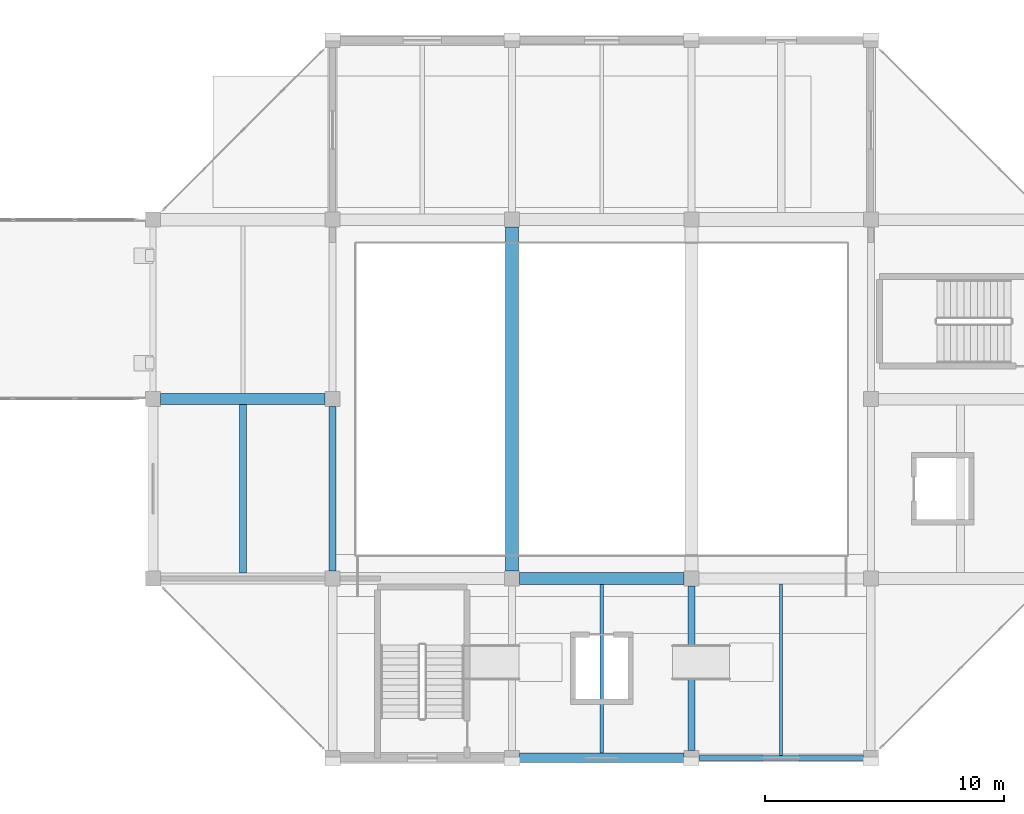
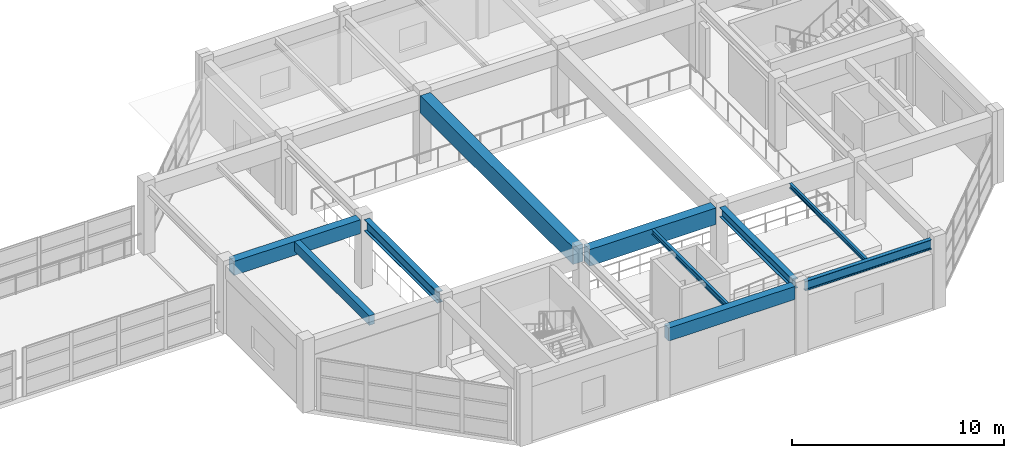
# One storey, part 65 of 132: 10 beams.
"""IFC4 building model written with IfcOpenShell, lengths in metres."""

from ifc_helpers import new_model, si_unit, direction, frame, origin, origin_2d, place, context, subcontext, project, spatial, rectangle, i_section, extrude, material, material_profile, profile_set, type_object, element, save


model = new_model("IFC4")

# Units and contexts
model_context = context("Model", 3, precision=1e-05, world=origin(), true_north=direction((0.0, 1.0)))
body_context = subcontext(model_context, "Body", "Model", "MODEL_VIEW")
ifc_project = project(units=[si_unit("LENGTHUNIT", "METRE"), si_unit("AREAUNIT", "SQUARE_METRE"), si_unit("VOLUMEUNIT", "CUBIC_METRE"), si_unit("PLANEANGLEUNIT", "RADIAN"), si_unit("MASSUNIT", "GRAM", prefix="KILO")], contexts=[model_context])

# Site, building, storey
site_placement = place(None, origin())
site = spatial("IfcSite", under=ifc_project, at=site_placement, CompositionType="ELEMENT")
building_placement = place(site_placement, origin())
building = spatial("IfcBuilding", under=site, at=building_placement, Name="Qasida Concert Hall", CompositionType="ELEMENT")
storey_placement = place(building_placement, frame((0.0, 0.0, 4.800048828125)))
storey = spatial("IfcBuildingStorey", under=building, at=storey_placement, Name="L01", CompositionType="ELEMENT", Elevation=4.800048828125)

# Beams
ifc_material_1 = material(Name="Steel S355J2", Category="steel")
ifc_material_profile_1 = material_profile(ifc_material_1, i_section(OverallWidth=0.300048828125, OverallDepth=0.550048828125, WebThickness=0.014892578125, FlangeThickness=0.029052734375, FilletRadius=0.027099609375, at=origin_2d()), Name="HEB 550")
ifc_profile_set_1 = profile_set([ifc_material_profile_1], Name="Steel S355J2")
beam_type_1 = type_object("IfcBeamType", Name="BM-B12", PredefinedType="BEAM", material=ifc_profile_set_1)
beam_1_placement = place(storey_placement, frame((150.0, 0.31005859375, 3.64501953125), z_axis=(0.0, 1.0, 0.0), x_axis=(-1.0, 0.0, 0.0)))
element("IfcBeam", 1, at=beam_1_placement, inside=storey, type_object=beam_type_1, Name="L01 girder 0879", PredefinedType="BEAM", context=body_context, shape_type="SweptSolid", body=[
    extrude(i_section(OverallWidth=0.300048828125, OverallDepth=0.550048828125, WebThickness=0.014892578125, FlangeThickness=0.029052734375, FilletRadius=0.027099609375, at=origin_2d()), origin(), (0.0, 0.0, 1.0), 6.8798828125),
])
ifc_material_profile_2 = material_profile(ifc_material_1, i_section(OverallWidth=0.300048828125, OverallDepth=0.64990234375, WebThickness=0.01611328125, FlangeThickness=0.031005859375, FilletRadius=0.027099609375, at=origin_2d()), Name="HEB 650")
ifc_profile_set_2 = profile_set([ifc_material_profile_2], Name="Steel S355J2")
beam_type_2 = type_object("IfcBeamType", Name="BM-B13", PredefinedType="BEAM", material=ifc_profile_set_2)
beam_2_placement = place(storey_placement, frame((135.0, 7.81005859375, 3.594970703125), z_axis=(0.0, 1.0, 0.0), x_axis=(-1.0, 0.0, 0.0)))
element("IfcBeam", 2, at=beam_2_placement, inside=storey, type_object=beam_type_2, Name="L01 girder 0873", PredefinedType="BEAM", context=body_context, shape_type="SweptSolid", body=[
    extrude(i_section(OverallWidth=0.300048828125, OverallDepth=0.64990234375, WebThickness=0.01611328125, FlangeThickness=0.031005859375, FilletRadius=0.027099609375, at=origin_2d()), origin(), (0.0, 0.0, 1.0), 6.8798828125),
])
ifc_material_2 = material(Name="Concrete C40/50", Category="concrete")
ifc_material_profile_3 = material_profile(ifc_material_2, rectangle(XDim=0.449951171875, YDim=0.800048828125, at=origin_2d()), Name="RC 450x800")
ifc_profile_set_3 = profile_set([ifc_material_profile_3], Name="Concrete C40/50")
beam_type_3 = type_object("IfcBeamType", Name="BM-G2", PredefinedType="USERDEFINED", material=ifc_profile_set_3)
beam_3_placement = place(storey_placement, frame((127.81005859375, 15.0, 3.52001953125), z_axis=(1.0, 0.0, 0.0), x_axis=(0.0, 1.0, 0.0)))
element("IfcBeam", 3, at=beam_3_placement, inside=storey, type_object=beam_type_3, Name="Primary girder 0860", ObjectType="GIRDER", PredefinedType="USERDEFINED", context=body_context, shape_type="SweptSolid", body=[
    extrude(rectangle(XDim=0.449951171875, YDim=0.800048828125, at=origin_2d()), origin(), (0.0, 0.0, 1.0), 6.8798828125),
])
ifc_material_profile_4 = material_profile(ifc_material_2, rectangle(XDim=0.550048828125, YDim=1.0, at=origin_2d()), Name="RC 550x1000")
ifc_profile_set_4 = profile_set([ifc_material_profile_4], Name="Concrete C40/50")
beam_type_4 = type_object("IfcBeamType", Name="BM-G3", PredefinedType="USERDEFINED", material=ifc_profile_set_4)
beam_4_placement = place(storey_placement, frame((142.5, 7.81005859375, 3.419921875), z_axis=(0.0, 1.0, 0.0), x_axis=(-1.0, 0.0, 0.0)))
element("IfcBeam", 4, at=beam_4_placement, inside=storey, type_object=beam_type_4, Name="L01 girder 0877", ObjectType="GIRDER", PredefinedType="USERDEFINED", context=body_context, shape_type="SweptSolid", body=[
    extrude(rectangle(XDim=0.550048828125, YDim=1.0, at=origin_2d()), origin(), (0.0, 0.0, 1.0), 14.3798828125),
])
ifc_material_profile_5 = material_profile(ifc_material_2, rectangle(XDim=0.52001953125, YDim=0.949951171875, at=origin_2d()), Name="RC 520x950")
ifc_profile_set_5 = profile_set([ifc_material_profile_5], Name="Concrete C40/50")
beam_type_5 = type_object("IfcBeamType", Name="BM-G7", PredefinedType="USERDEFINED", material=ifc_profile_set_5)
beam_5_placement = place(storey_placement, frame((142.81005859375, 7.5, 3.445068359375), z_axis=(1.0, 0.0, 0.0), x_axis=(0.0, 1.0, 0.0)))
element("IfcBeam", 5, at=beam_5_placement, inside=storey, type_object=beam_type_5, Name="Primary girder 0857", ObjectType="GIRDER", PredefinedType="USERDEFINED", context=body_context, shape_type="SweptSolid", body=[
    extrude(rectangle(XDim=0.52001953125, YDim=0.949951171875, at=origin_2d()), origin(), (0.0, 0.0, 1.0), 6.8798828125),
])
ifc_material_profile_6 = material_profile(ifc_material_2, rectangle(XDim=0.300048828125, YDim=0.550048828125, at=origin_2d()), Name="RC 300x550")
ifc_profile_set_6 = profile_set([ifc_material_profile_6], Name="Concrete C40/50")
beam_type_6 = type_object("IfcBeamType", Name="BM-J1", PredefinedType="JOIST", material=ifc_profile_set_6)
beam_6_placement = place(storey_placement, frame((131.25, 7.72509765625, 3.64501953125), z_axis=(0.0, 1.0, 0.0), x_axis=(-1.0, 0.0, 0.0)))
element("IfcBeam", 6, at=beam_6_placement, inside=storey, type_object=beam_type_6, Name="L01 secondary joist 0888", PredefinedType="JOIST", context=body_context, shape_type="SweptSolid", body=[
    extrude(rectangle(XDim=0.300048828125, YDim=0.550048828125, at=origin_2d()), origin(), (0.0, 0.0, 1.0), 7.0498046875),
])
ifc_material_profile_7 = material_profile(ifc_material_1, i_section(OverallWidth=0.14990234375, OverallDepth=0.300048828125, WebThickness=0.007080078125, FlangeThickness=0.0107421875, FilletRadius=0.014892578125, at=origin_2d()), Name="IPE 300")
ifc_profile_set_7 = profile_set([ifc_material_profile_7], Name="Steel S355J2")
beam_type_7 = type_object("IfcBeamType", Name="BM-J4", PredefinedType="JOIST", material=ifc_profile_set_7)
beam_7_placement = place(storey_placement, frame((146.25, 0.199951171875, 3.77001953125), z_axis=(0.0, 1.0, 0.0), x_axis=(-1.0, 0.0, 0.0)))
element("IfcBeam", 7, at=beam_7_placement, inside=storey, type_object=beam_type_7, Name="L01 secondary joist 0891", PredefinedType="JOIST", context=body_context, shape_type="SweptSolid", body=[
    extrude(i_section(OverallWidth=0.14990234375, OverallDepth=0.300048828125, WebThickness=0.007080078125, FlangeThickness=0.0107421875, FilletRadius=0.014892578125, at=origin_2d()), origin(), (0.0, 0.0, 1.0), 7.0400390625),
])
ifc_material_profile_8 = material_profile(ifc_material_1, i_section(OverallWidth=0.135009765625, OverallDepth=0.27001953125, WebThickness=0.006591796875, FlangeThickness=0.01025390625, FilletRadius=0.014892578125, at=origin_2d()), Name="IPE 270")
ifc_profile_set_8 = profile_set([ifc_material_profile_8], Name="Steel S355J2")
beam_type_8 = type_object("IfcBeamType", Name="BM-J6", PredefinedType="JOIST", material=ifc_profile_set_8)
beam_8_placement = place(storey_placement, frame((153.75, 0.10498046875, 3.784912109375), z_axis=(0.0, 1.0, 0.0), x_axis=(-1.0, 0.0, 0.0)))
element("IfcBeam", 8, at=beam_8_placement, inside=storey, type_object=beam_type_8, Name="L01 secondary joist 0893", PredefinedType="JOIST", context=body_context, shape_type="SweptSolid", body=[
    extrude(i_section(OverallWidth=0.135009765625, OverallDepth=0.27001953125, WebThickness=0.006591796875, FlangeThickness=0.01025390625, FilletRadius=0.014892578125, at=origin_2d()), origin(), (0.0, 0.0, 1.0), 7.155029296875),
])
ifc_material_profile_9 = material_profile(ifc_material_2, rectangle(XDim=0.39990234375, YDim=0.75, at=origin_2d()), Name="RC 400x750")
ifc_profile_set_9 = profile_set([ifc_material_profile_9], Name="Concrete C40/50")
beam_type_9 = type_object("IfcBeamType", Name="BM-SP1", PredefinedType="SPANDREL", material=ifc_profile_set_9)
beam_9_placement = place(storey_placement, frame((142.81005859375, 0.0, 3.544921875), z_axis=(1.0, 0.0, 0.0), x_axis=(0.0, 1.0, 0.0)))
element("IfcBeam", 9, at=beam_9_placement, inside=storey, type_object=beam_type_9, Name="Primary girder 0853", PredefinedType="SPANDREL", context=body_context, shape_type="SweptSolid", body=[
    extrude(rectangle(XDim=0.39990234375, YDim=0.75, at=origin_2d()), origin(), (0.0, 0.0, 1.0), 6.8798828125),
])
ifc_material_profile_10 = material_profile(ifc_material_1, i_section(OverallWidth=0.2099609375, OverallDepth=0.550048828125, WebThickness=0.010986328125, FlangeThickness=0.01708984375, FilletRadius=0.02392578125, at=origin_2d()), Name="IPE 550")
ifc_profile_set_10 = profile_set([ifc_material_profile_10], Name="Steel S355J2")
beam_type_10 = type_object("IfcBeamType", Name="BM-SP2", PredefinedType="SPANDREL", material=ifc_profile_set_10)
beam_10_placement = place(storey_placement, frame((150.31005859375, 0.0, 3.64501953125), z_axis=(1.0, 0.0, 0.0), x_axis=(0.0, 1.0, 0.0)))
element("IfcBeam", 10, at=beam_10_placement, inside=storey, type_object=beam_type_10, Name="Primary girder 0854", PredefinedType="SPANDREL", context=body_context, shape_type="SweptSolid", body=[
    extrude(i_section(OverallWidth=0.2099609375, OverallDepth=0.550048828125, WebThickness=0.010986328125, FlangeThickness=0.01708984375, FilletRadius=0.02392578125, at=origin_2d()), origin(), (0.0, 0.0, 1.0), 6.8798828125),
])

save(model, "model.ifc")
